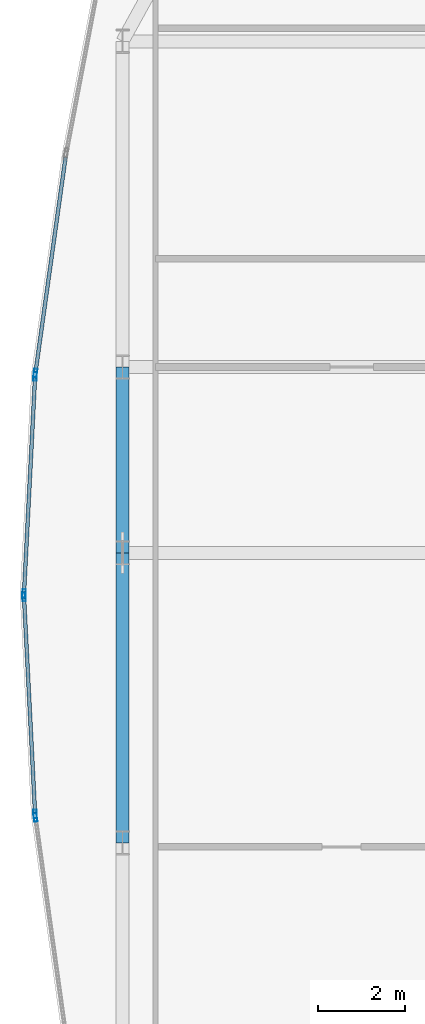
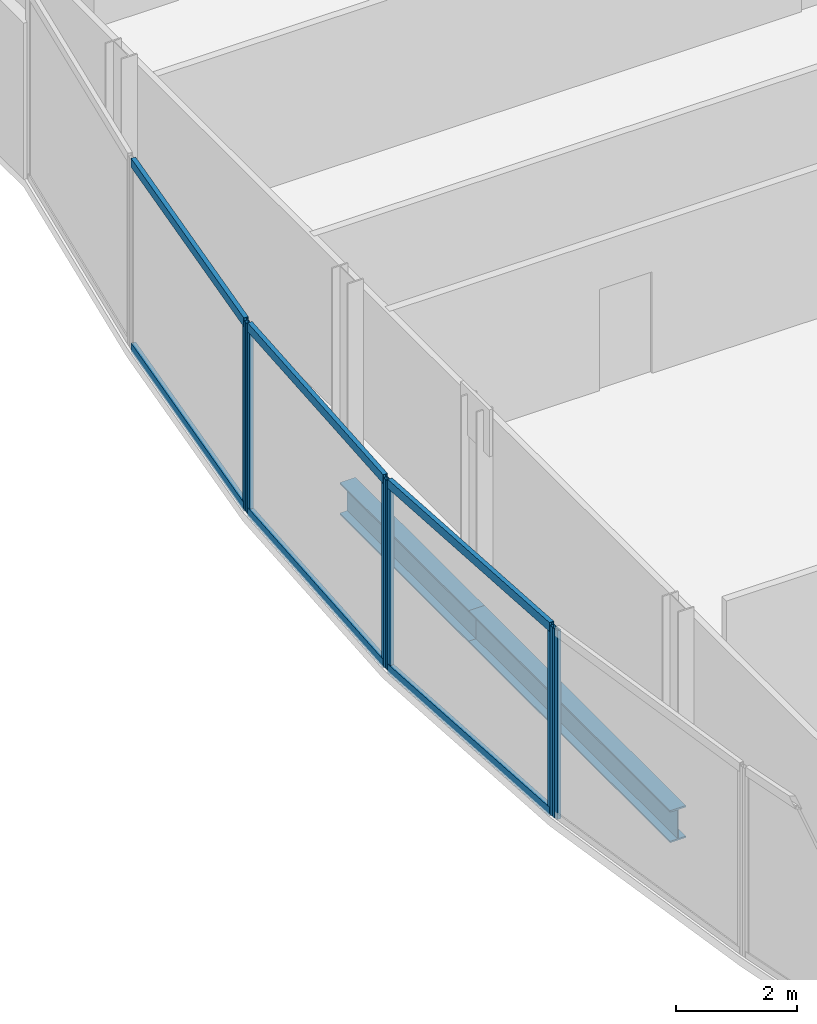
# One storey, part 10 of 37: 12 members, 2 beams, 4 elements without a shape of their own.
"""IFC4 building model written with IfcOpenShell, lengths in metres."""

from ifc_helpers import new_model, si_unit, direction, frame, origin, origin_2d, place, context, subcontext, project, spatial, hollow_rectangle, i_section, extrude, material, material_profile, profile_set, type_object, element, aggregate, save


model = new_model("IFC4")

# Units and contexts
model_context = context("Model", 3, precision=1e-05, world=origin(), true_north=direction((0.0, 1.0)))
body_context = subcontext(model_context, "Body", "Model", "MODEL_VIEW")
ifc_project = project(units=[si_unit("LENGTHUNIT", "METRE"), si_unit("AREAUNIT", "SQUARE_METRE"), si_unit("VOLUMEUNIT", "CUBIC_METRE"), si_unit("PLANEANGLEUNIT", "RADIAN"), si_unit("MASSUNIT", "GRAM", prefix="KILO")], contexts=[model_context])

# Site, building, storey
site_placement = place(None, origin())
site = spatial("IfcSite", under=ifc_project, at=site_placement, CompositionType="ELEMENT")
building_placement = place(site_placement, origin())
building = spatial("IfcBuilding", under=site, at=building_placement, Name="Khoronbel Lancet Exchange", CompositionType="ELEMENT")
storey_placement = place(building_placement, frame((0.0, 0.0, 45.800048828125)))
storey = spatial("IfcBuildingStorey", under=building, at=storey_placement, Name="L10", CompositionType="ELEMENT", Elevation=45.800048828125)

# Beams
ifc_material_1 = material(Name="Steel S355", Category="steel")
ifc_material_profile_1 = material_profile(ifc_material_1, i_section(OverallWidth=0.300048828125, OverallDepth=0.64990234375, WebThickness=0.01611328125, FlangeThickness=0.031005859375, at=origin_2d()), Name="HEB 650")
ifc_profile_set_1 = profile_set([ifc_material_profile_1], Name="Steel S355")
beam_type = type_object("IfcBeamType", Name="BM-BSP1", PredefinedType="SPANDREL", material=ifc_profile_set_1)
beam_1_placement = place(storey_placement, frame((1.27001953125, 35.699951171875, -0.505126953125), z_axis=(0.0, -1.0, 0.0), x_axis=(1.0, 0.0, 0.0)))
element("IfcBeam", 1, at=beam_1_placement, inside=storey, type_object=beam_type, Name="Level L10 perimeter spandrel beam SP18", PredefinedType="SPANDREL", context=body_context, shape_type="SweptSolid", body=[
    extrude(i_section(OverallWidth=0.300048828125, OverallDepth=0.64990234375, WebThickness=0.01611328125, FlangeThickness=0.031005859375, at=origin_2d()), origin(), (0.0, 0.0, 1.0), 4.27490234375),
])
beam_2_placement = place(storey_placement, frame((1.27001953125, 31.425048828125, -0.505126953125), z_axis=(0.0, -1.0, 0.0), x_axis=(1.0, 0.0, 0.0)))
element("IfcBeam", 2, at=beam_2_placement, inside=storey, type_object=beam_type, Name="Level L10 perimeter spandrel beam SP19", PredefinedType="SPANDREL", context=body_context, shape_type="SweptSolid", body=[
    extrude(i_section(OverallWidth=0.300048828125, OverallDepth=0.64990234375, WebThickness=0.01611328125, FlangeThickness=0.031005859375, at=origin_2d()), origin(), (0.0, 0.0, 1.0), 6.675048828125),
])

# Curtain wall, member
ifc_material_2 = material(Name="Low-E Solar Control Insulating Glass", Category="glass")
curtain_wall_type = type_object("IfcCurtainWallType", Name="CW-4", PredefinedType="NOTDEFINED", material=ifc_material_2)
curtain_wall_1_placement = place(storey_placement, origin())
curtain_wall_1 = element("IfcCurtainWall", 3, at=curtain_wall_1_placement, inside=storey, type_object=curtain_wall_type, Name="Unitised curtain wall CW-L10-E05", PredefinedType="NOTDEFINED")
ifc_material_3 = material(Name="Bronze-Anodised Aluminium 6063-T6", Category="aluminium")
ifc_material_profile_2 = material_profile(ifc_material_3, hollow_rectangle(XDim=0.074951171875, YDim=0.199951171875, WallThickness=0.0048828125, at=origin_2d()), Name="ALU MULLION 75x200")
ifc_profile_set_2 = profile_set([ifc_material_profile_2], Name="Bronze-Anodised Aluminium 6063-T6")
member_type_1 = type_object("IfcMemberType", Name="MEM-CWM2", PredefinedType="MULLION", material=ifc_profile_set_2)
member_1_placement = place(storey_placement, frame((-0.735107421875, 25.338134765625, 0.0), z_axis=(0.0, 0.0, 1.0), x_axis=(-0.990384767809, -0.138340202733, 0.0)))
member_1 = element("IfcMember", 4, at=member_1_placement, type_object=member_type_1, Name="CW4 mullion 2", PredefinedType="MULLION", context=body_context, shape_type="SweptSolid", body=[
    extrude(hollow_rectangle(XDim=0.074951171875, YDim=0.199951171875, WallThickness=0.0048828125, at=origin_2d()), origin(), (0.0, 0.0, 1.0), 3.820068359375),
])
aggregate(curtain_wall_1, [member_1])

# Curtain wall, members
curtain_wall_2_placement = place(storey_placement, origin())
curtain_wall_2 = element("IfcCurtainWall", 5, at=curtain_wall_2_placement, inside=storey, type_object=curtain_wall_type, Name="Unitised curtain wall CW-L10-E06", PredefinedType="NOTDEFINED")
member_2_placement = place(storey_placement, frame((-0.7421875, 25.41259765625, 0.0), z_axis=(0.0, 0.0, 1.0), x_axis=(-0.998695163208, -0.051068297252, 0.0)))
member_2 = element("IfcMember", 6, at=member_2_placement, type_object=member_type_1, Name="CW4 mullion 1", PredefinedType="MULLION", context=body_context, shape_type="SweptSolid", body=[
    extrude(hollow_rectangle(XDim=0.074951171875, YDim=0.199951171875, WallThickness=0.0048828125, at=origin_2d()), origin(), (0.0, 0.0, 1.0), 3.820068359375),
])
member_3_placement = place(storey_placement, frame((-0.997802734375, 30.41259765625, 0.0), z_axis=(0.0, 0.0, 1.0), x_axis=(-0.998695163208, -0.051068297252, 0.0)))
member_3 = element("IfcMember", 7, at=member_3_placement, type_object=member_type_1, Name="CW4 mullion 2", PredefinedType="MULLION", context=body_context, shape_type="SweptSolid", body=[
    extrude(hollow_rectangle(XDim=0.074951171875, YDim=0.199951171875, WallThickness=0.0048828125, at=origin_2d()), origin(), (0.0, 0.0, 1.0), 3.820068359375),
])

curtain_wall_3_placement = place(storey_placement, origin())
curtain_wall_3 = element("IfcCurtainWall", 8, at=curtain_wall_3_placement, inside=storey, type_object=curtain_wall_type, Name="Unitised curtain wall CW-L10-E07", PredefinedType="NOTDEFINED")
member_4_placement = place(storey_placement, frame((-0.997802734375, 30.487548828125, 0.0), z_axis=(0.0, 0.0, 1.0), x_axis=(-0.998695163208, 0.051068297252, 0.0)))
member_4 = element("IfcMember", 9, at=member_4_placement, type_object=member_type_1, Name="CW4 mullion 1", PredefinedType="MULLION", context=body_context, shape_type="SweptSolid", body=[
    extrude(hollow_rectangle(XDim=0.074951171875, YDim=0.199951171875, WallThickness=0.0048828125, at=origin_2d()), origin(), (0.0, 0.0, 1.0), 3.820068359375),
])
member_5_placement = place(storey_placement, frame((-0.7421875, 35.4873046875, 0.0), z_axis=(0.0, 0.0, 1.0), x_axis=(-0.998695163208, 0.051068297252, 0.0)))
member_5 = element("IfcMember", 10, at=member_5_placement, type_object=member_type_1, Name="CW4 mullion 2", PredefinedType="MULLION", context=body_context, shape_type="SweptSolid", body=[
    extrude(hollow_rectangle(XDim=0.074951171875, YDim=0.199951171875, WallThickness=0.0048828125, at=origin_2d()), origin(), (0.0, 0.0, 1.0), 3.820068359375),
])

# Curtain wall, member
curtain_wall_4_placement = place(storey_placement, origin())
curtain_wall_4 = element("IfcCurtainWall", 11, at=curtain_wall_4_placement, inside=storey, type_object=curtain_wall_type, Name="Unitised curtain wall CW-L10-E08", PredefinedType="NOTDEFINED")
member_6_placement = place(storey_placement, frame((-0.735107421875, 35.56201171875, 0.0), z_axis=(0.0, 0.0, 1.0), x_axis=(-0.990384767809, 0.138340202733, 0.0)))
member_6 = element("IfcMember", 12, at=member_6_placement, type_object=member_type_1, Name="CW4 mullion 1", PredefinedType="MULLION", context=body_context, shape_type="SweptSolid", body=[
    extrude(hollow_rectangle(XDim=0.074951171875, YDim=0.199951171875, WallThickness=0.0048828125, at=origin_2d()), origin(), (0.0, 0.0, 1.0), 3.820068359375),
])

# Member
ifc_material_profile_3 = material_profile(ifc_material_3, hollow_rectangle(XDim=0.0849609375, YDim=0.179931640625, WallThickness=0.0048828125, at=origin_2d()), Name="ALU TRANSOM 85x180")
ifc_profile_set_3 = profile_set([ifc_material_profile_3], Name="Bronze-Anodised Aluminium 6063-T6")
member_type_2 = type_object("IfcMemberType", Name="MEM-CWT1", PredefinedType="USERDEFINED", material=ifc_profile_set_3)
member_7_placement = place(storey_placement, frame((-0.744140625, 25.4501953125, 0.04248046875), z_axis=(-0.051043823281, 0.998696414385, 0.0), x_axis=(-0.998696414385, -0.051043823281, 0.0)))
member_7 = element("IfcMember", 13, at=member_7_placement, type_object=member_type_2, Name="CW4 transom 1.1", ObjectType="TRANSOM", PredefinedType="USERDEFINED", context=body_context, shape_type="SweptSolid", body=[
    extrude(hollow_rectangle(XDim=0.0849609375, YDim=0.179931640625, WallThickness=0.0048828125, at=origin_2d()), origin(), (0.0, 0.0, 1.0), 4.93115234375),
])

member_8_placement = place(storey_placement, frame((-0.744140625, 25.4501953125, 3.77734375), z_axis=(-0.051043823281, 0.998696414385, 0.0), x_axis=(-0.998696414385, -0.051043823281, 0.0)))
member_8 = element("IfcMember", 14, at=member_8_placement, type_object=member_type_2, Name="CW4 transom 1.2", ObjectType="TRANSOM", PredefinedType="USERDEFINED", context=body_context, shape_type="SweptSolid", body=[
    extrude(hollow_rectangle(XDim=0.0849609375, YDim=0.179931640625, WallThickness=0.0048828125, at=origin_2d()), origin(), (0.0, 0.0, 1.0), 4.93115234375),
])

aggregate(curtain_wall_2, [member_2, member_3, member_7, member_8])

member_9_placement = place(storey_placement, frame((-0.995849609375, 30.52490234375, 0.04248046875), z_axis=(0.051041299569, 0.99869654337, 0.0), x_axis=(-0.99869654337, 0.051041299569, 0.0)))
member_9 = element("IfcMember", 15, at=member_9_placement, type_object=member_type_2, Name="CW4 transom 1.1", ObjectType="TRANSOM", PredefinedType="USERDEFINED", context=body_context, shape_type="SweptSolid", body=[
    extrude(hollow_rectangle(XDim=0.0849609375, YDim=0.179931640625, WallThickness=0.0048828125, at=origin_2d()), origin(), (0.0, 0.0, 1.0), 4.931396484375),
])

member_10_placement = place(storey_placement, frame((-0.995849609375, 30.52490234375, 3.77734375), z_axis=(0.051041299569, 0.99869654337, 0.0), x_axis=(-0.99869654337, 0.051041299569, 0.0)))
member_10 = element("IfcMember", 16, at=member_10_placement, type_object=member_type_2, Name="CW4 transom 1.2", ObjectType="TRANSOM", PredefinedType="USERDEFINED", context=body_context, shape_type="SweptSolid", body=[
    extrude(hollow_rectangle(XDim=0.0849609375, YDim=0.179931640625, WallThickness=0.0048828125, at=origin_2d()), origin(), (0.0, 0.0, 1.0), 4.931396484375),
])

aggregate(curtain_wall_3, [member_4, member_5, member_9, member_10])

member_11_placement = place(storey_placement, frame((-0.72998046875, 35.59912109375, 0.04248046875), z_axis=(0.138343751113, 0.990384272153, 0.0), x_axis=(-0.990384272153, 0.138343751113, 0.0)))
member_11 = element("IfcMember", 17, at=member_11_placement, type_object=member_type_2, Name="CW4 transom 1.1", ObjectType="TRANSOM", PredefinedType="USERDEFINED", context=body_context, shape_type="SweptSolid", body=[
    extrude(hollow_rectangle(XDim=0.0849609375, YDim=0.179931640625, WallThickness=0.0048828125, at=origin_2d()), origin(), (0.0, 0.0, 1.0), 4.9765625),
])

member_12_placement = place(storey_placement, frame((-0.72998046875, 35.59912109375, 3.77734375), z_axis=(0.138343751113, 0.990384272153, 0.0), x_axis=(-0.990384272153, 0.138343751113, 0.0)))
member_12 = element("IfcMember", 18, at=member_12_placement, type_object=member_type_2, Name="CW4 transom 1.2", ObjectType="TRANSOM", PredefinedType="USERDEFINED", context=body_context, shape_type="SweptSolid", body=[
    extrude(hollow_rectangle(XDim=0.0849609375, YDim=0.179931640625, WallThickness=0.0048828125, at=origin_2d()), origin(), (0.0, 0.0, 1.0), 4.9765625),
])

aggregate(curtain_wall_4, [member_6, member_11, member_12])

save(model, "model.ifc")
